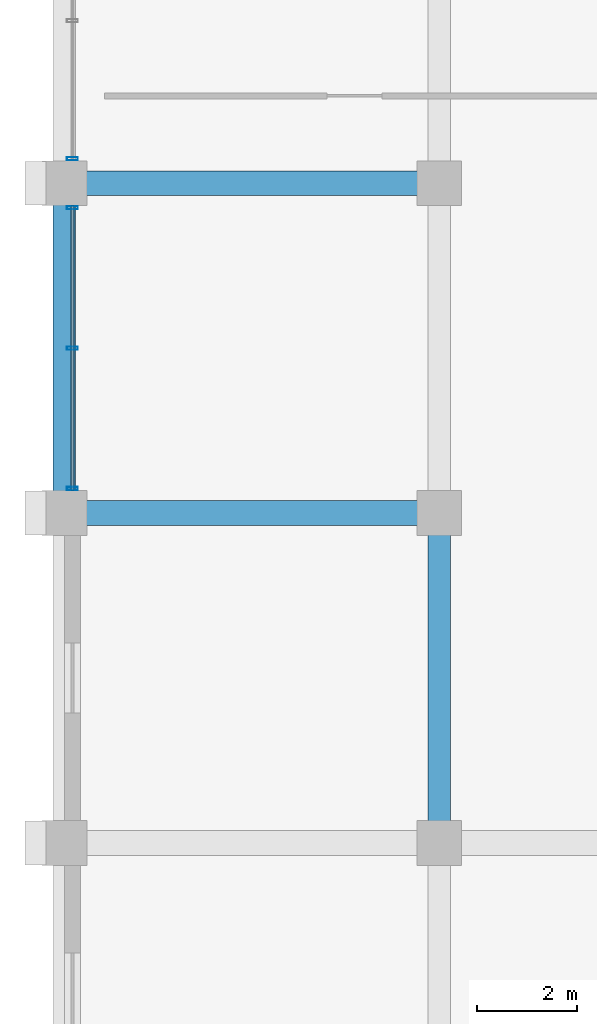
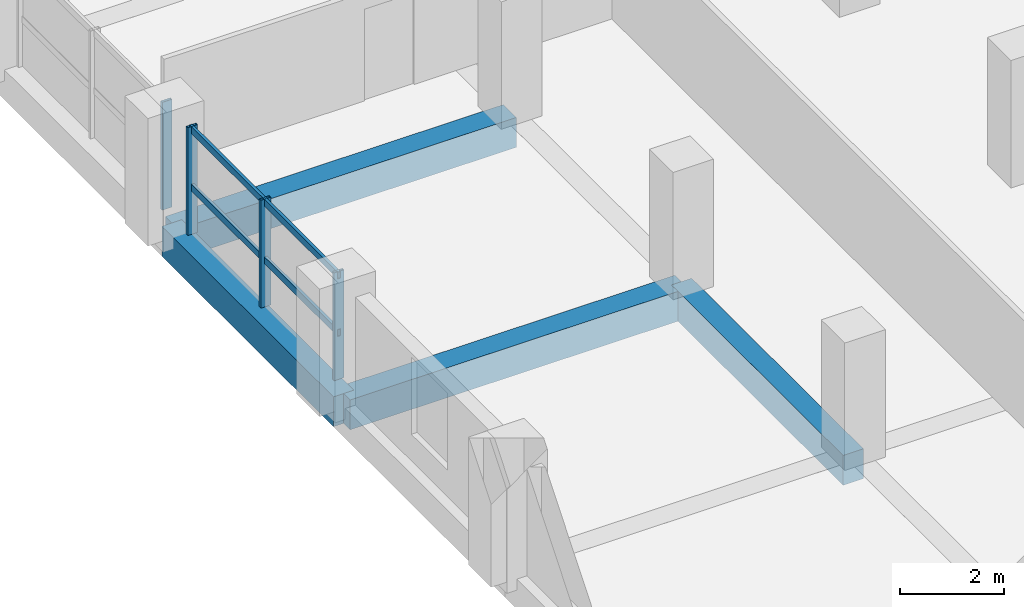
# One storey, part 4 of 21: 6 members, 4 beams, 2 elements without a shape of their own.
"""IFC4 building model written with IfcOpenShell, lengths in metres."""

from ifc_helpers import new_model, si_unit, direction, frame, origin, origin_2d, place, context, subcontext, project, spatial, rectangle, hollow_rectangle, extrude, material, material_profile, profile_set, type_object, element, aggregate, save


model = new_model("IFC4")

# Units and contexts
model_context = context("Model", 3, precision=1e-05, world=origin(), true_north=direction((0.0, 1.0)))
body_context = subcontext(model_context, "Body", "Model", "MODEL_VIEW")
ifc_project = project(units=[si_unit("LENGTHUNIT", "METRE"), si_unit("AREAUNIT", "SQUARE_METRE"), si_unit("VOLUMEUNIT", "CUBIC_METRE"), si_unit("PLANEANGLEUNIT", "RADIAN"), si_unit("MASSUNIT", "GRAM", prefix="KILO")], contexts=[model_context])

# Site, building, storey
site_placement = place(None, origin())
site = spatial("IfcSite", under=ifc_project, at=site_placement, CompositionType="ELEMENT")
building_placement = place(site_placement, origin())
building = spatial("IfcBuilding", under=site, at=building_placement, Name="Akrevak Sports Hall", CompositionType="ELEMENT")
storey_placement = place(building_placement, frame((0.0, 0.0, 27.550048828125)))
storey = spatial("IfcBuildingStorey", under=building, at=storey_placement, Name="L05", CompositionType="ELEMENT", Elevation=27.550048828125)

# Curtain wall, member
ifc_material_1 = material(Name="Anodized Bronze Aluminium & Low-E Glass", Category="aluminium")
curtain_wall_type = type_object("IfcCurtainWallType", Name="ARC-CW-TWR-68x30", PredefinedType="NOTDEFINED", material=ifc_material_1)
curtain_wall_1_placement = place(storey_placement, origin())
curtain_wall_1 = element("IfcCurtainWall", 1, at=curtain_wall_1_placement, inside=storey, type_object=curtain_wall_type, Name="Curtain Wall CW-L05-W30", PredefinedType="NOTDEFINED")
ifc_material_2 = material(Name="Anodized Bronze Aluminium", Category="aluminium")
ifc_material_profile_1 = material_profile(ifc_material_2, hollow_rectangle(XDim=0.06494140625, YDim=0.219970703125, WallThickness=0.00439453125, at=origin_2d()), Name="CWM 65x220", Category="aluminium")
ifc_profile_set_1 = profile_set([ifc_material_profile_1], Name="Anodized Bronze Aluminium")
member_type_1 = type_object("IfcMemberType", Name="ARC-CWM-70x160", PredefinedType="MULLION", material=ifc_profile_set_1)
member_1_placement = place(storey_placement, frame((45.159912109375, 49.090087890625, 0.0), z_axis=(0.0, 0.0, 1.0), x_axis=(0.0, -1.0, 0.0)))
member_1 = element("IfcMember", 2, at=member_1_placement, type_object=member_type_1, Name="Curtain Wall Mullion CW-L05-W30-M3", PredefinedType="MULLION", context=body_context, shape_type="SweptSolid", body=[
    extrude(hollow_rectangle(XDim=0.06494140625, YDim=0.219970703125, WallThickness=0.00439453125, at=origin_2d()), origin(), (0.0, 0.0, 1.0), 2.530029296875),
])
aggregate(curtain_wall_1, [member_1])

# Curtain wall, members
curtain_wall_2_placement = place(storey_placement, origin())
curtain_wall_2 = element("IfcCurtainWall", 3, at=curtain_wall_2_placement, inside=storey, type_object=curtain_wall_type, Name="Curtain Wall CW-L05-W31", PredefinedType="NOTDEFINED")
member_2_placement = place(storey_placement, frame((45.159912109375, 48.110107421875, 0.0), z_axis=(0.0, 0.0, 1.0), x_axis=(0.0, -1.0, 0.0)))
member_2 = element("IfcMember", 4, at=member_2_placement, type_object=member_type_1, Name="Curtain Wall Mullion CW-L05-W31-M1", PredefinedType="MULLION", context=body_context, shape_type="SweptSolid", body=[
    extrude(hollow_rectangle(XDim=0.06494140625, YDim=0.219970703125, WallThickness=0.00439453125, at=origin_2d()), origin(), (0.0, 0.0, 1.0), 2.530029296875),
])
member_3_placement = place(storey_placement, frame((45.159912109375, 45.300048828125, 0.0), z_axis=(0.0, 0.0, 1.0), x_axis=(0.0, -1.0, 0.0)))
member_3 = element("IfcMember", 5, at=member_3_placement, type_object=member_type_1, Name="Curtain Wall Mullion CW-L05-W31-M2", PredefinedType="MULLION", context=body_context, shape_type="SweptSolid", body=[
    extrude(hollow_rectangle(XDim=0.06494140625, YDim=0.219970703125, WallThickness=0.00439453125, at=origin_2d()), origin(), (0.0, 0.0, 1.0), 2.530029296875),
])
member_4_placement = place(storey_placement, frame((45.159912109375, 42.489990234375, 0.0), z_axis=(0.0, 0.0, 1.0), x_axis=(0.0, -1.0, 0.0)))
member_4 = element("IfcMember", 6, at=member_4_placement, type_object=member_type_1, Name="Curtain Wall Mullion CW-L05-W31-M3", PredefinedType="MULLION", context=body_context, shape_type="SweptSolid", body=[
    extrude(hollow_rectangle(XDim=0.06494140625, YDim=0.219970703125, WallThickness=0.00439453125, at=origin_2d()), origin(), (0.0, 0.0, 1.0), 2.530029296875),
])
ifc_material_profile_2 = material_profile(ifc_material_2, hollow_rectangle(XDim=0.06494140625, YDim=0.159912109375, WallThickness=0.00390625, at=origin_2d()), Name="CWT 65x160", Category="aluminium")
ifc_profile_set_2 = profile_set([ifc_material_profile_2], Name="Anodized Bronze Aluminium")
member_type_2 = type_object("IfcMemberType", Name="ARC-CWT-70x130", PredefinedType="USERDEFINED", material=ifc_profile_set_2)
member_5_placement = place(storey_placement, frame((45.159912109375, 48.14990234375, 1.099853515625), z_axis=(0.0, -1.0, 0.0), x_axis=(1.0, 0.0, 0.0)))
member_5 = element("IfcMember", 7, at=member_5_placement, type_object=member_type_2, Name="Curtain Wall Transom CW-L05-W31-T1", ObjectType="TRANSOM", PredefinedType="USERDEFINED", context=body_context, shape_type="SweptSolid", body=[
    extrude(hollow_rectangle(XDim=0.06494140625, YDim=0.159912109375, WallThickness=0.00390625, at=origin_2d()), origin(), (0.0, 0.0, 1.0), 5.699951171875),
])
member_6_placement = place(storey_placement, frame((45.159912109375, 48.14990234375, 2.449951171875), z_axis=(0.0, -1.0, 0.0), x_axis=(1.0, 0.0, 0.0)))
member_6 = element("IfcMember", 8, at=member_6_placement, type_object=member_type_2, Name="Curtain Wall Transom CW-L05-W31-T2", ObjectType="TRANSOM", PredefinedType="USERDEFINED", context=body_context, shape_type="SweptSolid", body=[
    extrude(hollow_rectangle(XDim=0.06494140625, YDim=0.159912109375, WallThickness=0.00390625, at=origin_2d()), origin(), (0.0, 0.0, 1.0), 5.699951171875),
])
aggregate(curtain_wall_2, [member_2, member_3, member_4, member_5, member_6])

# Beams
ifc_material_3 = material(Name="Concrete C40/50", Category="concrete")
ifc_material_profile_3 = material_profile(ifc_material_3, rectangle(XDim=0.449951171875, YDim=0.699951171875, at=origin_2d()), Name="BM 450x700", Category="concrete")
ifc_profile_set_3 = profile_set([ifc_material_profile_3], Name="Concrete C40/50")
beam_type_1 = type_object("IfcBeamType", Name="STR-BM-RC450x700", PredefinedType="BEAM", material=ifc_profile_set_3)
for number, where, z_axis, x_axis, name in (
    (9, (45.0, 42.0, -0.35009765625), (0.0, 1.0, 0.0), (-1.0, 0.0, 0.0), "Girder 7/G-H (L05)"),
    (10, (52.5, 35.39990234375, -0.35009765625), (0.0, 1.0, 0.0), (-1.0, 0.0, 0.0), "Girder 8/F-G (L05)"),
):
    element("IfcBeam", number, at=place(storey_placement, frame(where, z_axis=z_axis, x_axis=x_axis)), inside=storey, type_object=beam_type_1, Name=name, PredefinedType="BEAM", context=body_context, shape_type="SweptSolid", body=[
        extrude(rectangle(XDim=0.449951171875, YDim=0.699951171875, at=origin_2d()), origin(), (0.0, 0.0, 1.0), 6.60009765625),
    ])
ifc_material_profile_4 = material_profile(ifc_material_3, rectangle(XDim=0.5, YDim=0.699951171875, at=origin_2d()), Name="BM 500x700", Category="concrete")
ifc_profile_set_4 = profile_set([ifc_material_profile_4], Name="Concrete C40/50")
beam_type_2 = type_object("IfcBeamType", Name="STR-BM-RC500x700", PredefinedType="BEAM", material=ifc_profile_set_4)
for number, where, z_axis, x_axis, name in (
    (11, (45.0, 42.0, -0.35009765625), (1.0, 0.0, 0.0), (0.0, 1.0, 0.0), "Girder G/7-8 (L05)"),
    (12, (45.0, 48.60009765625, -0.35009765625), (1.0, 0.0, 0.0), (0.0, 1.0, 0.0), "Girder H/7-8 (L05)"),
):
    element("IfcBeam", number, at=place(storey_placement, frame(where, z_axis=z_axis, x_axis=x_axis)), inside=storey, type_object=beam_type_2, Name=name, PredefinedType="BEAM", context=body_context, shape_type="SweptSolid", body=[
        extrude(rectangle(XDim=0.5, YDim=0.699951171875, at=origin_2d()), origin(), (0.0, 0.0, 1.0), 7.5),
    ])

save(model, "model.ifc")
